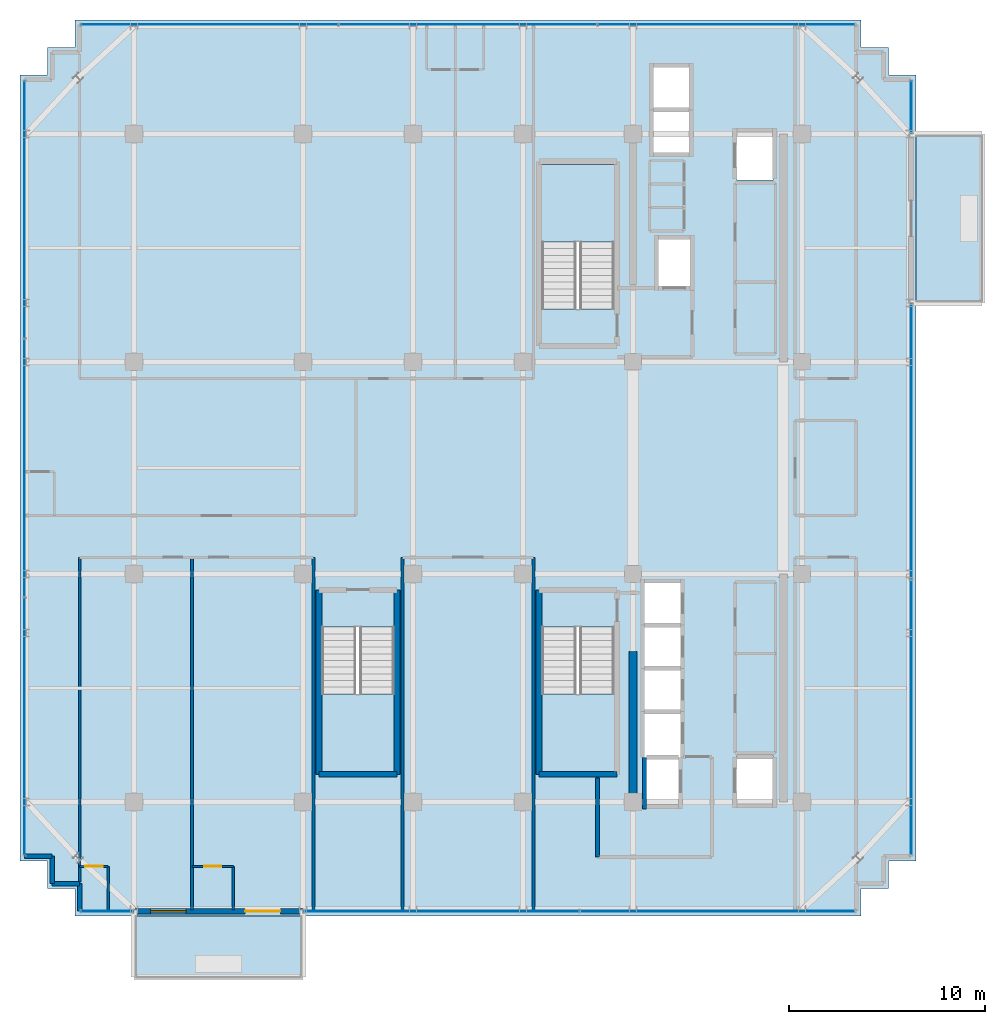
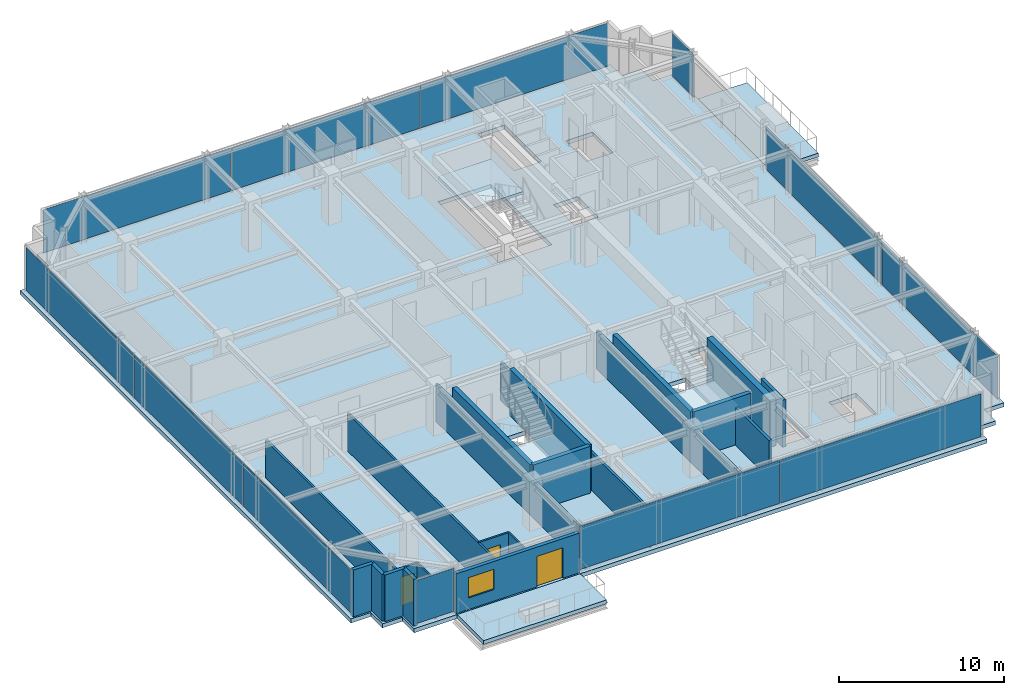
# One storey, part 26 of 33: 22 walls, 12 plates, 6 slabs, 3 doors, 1 window, 4 openings, 9 elements without a shape of their own.
"""IFC4 building model written with IfcOpenShell, lengths in metres."""

from ifc_helpers import new_model, si_unit, direction, frame, frame_2d, origin, origin_2d, place, context, subcontext, project, spatial, polyline, rectangle, outline, extrude, source, transform, mapped, material, layer, layer_set, type_object, element, fill, aggregate, save


model = new_model("IFC4")

# Units and contexts
model_context = context("Model", 3, precision=1e-05, world=origin(), true_north=direction((0.0, 1.0)))
body_context = subcontext(model_context, "Body", "Model", "MODEL_VIEW")
ifc_project = project(units=[si_unit("LENGTHUNIT", "METRE"), si_unit("AREAUNIT", "SQUARE_METRE"), si_unit("VOLUMEUNIT", "CUBIC_METRE"), si_unit("PLANEANGLEUNIT", "RADIAN"), si_unit("MASSUNIT", "GRAM", prefix="KILO")], contexts=[model_context])

# Site, building, storey
site_placement = place(None, origin())
site = spatial("IfcSite", under=ifc_project, at=site_placement, CompositionType="ELEMENT")
building_placement = place(site_placement, origin())
building = spatial("IfcBuilding", under=site, at=building_placement, Name="Nahalor Promenade Grand Hotel", CompositionType="ELEMENT")
storey_placement = place(building_placement, frame((0.0, 0.0, 270.050048828125)))
storey = spatial("IfcBuildingStorey", under=building, at=storey_placement, Name="L69", CompositionType="ELEMENT", Elevation=270.050048828125)

# Stair, slab
ifc_material_1 = material(Name="Concrete B-50 (C40/50)", Category="concrete")
stair_type_1 = type_object("IfcStairType", Name="Stair-ST1", PredefinedType="HALF_TURN_STAIR", material=ifc_material_1)
stair_1_placement = place(storey_placement, origin())
stair_1 = element("IfcStair", 1, at=stair_1_placement, inside=storey, type_object=stair_type_1, Name="L69 ST1", PredefinedType="HALF_TURN_STAIR")
ifc_layer_1 = layer(ifc_material_1, 0.199951171875)
ifc_layer_set_1 = layer_set([ifc_layer_1], Name="Concrete B-50 (C40/50)")
slab_type_1 = type_object("IfcSlabType", Name="Landing-ST1", PredefinedType="LANDING", material=ifc_layer_set_1)
slab_1_placement = place(storey_placement, frame((0.0, 0.0, 1.675048828125)))
slab_1 = element("IfcSlab", 2, at=slab_1_placement, type_object=slab_type_1, Name="ST1 landing 1", PredefinedType="LANDING", context=body_context, shape_type="SweptSolid", body=[
    extrude(outline(polyline([(7.449951171875, 11.5), (7.449951171875, 15.449951171875), (3.75, 15.449951171875), (3.75, 11.5), (7.449951171875, 11.5)])), origin(), (0.0, 0.0, 1.0), 0.199951171875),
])
aggregate(stair_1, [slab_1])

stair_type_2 = type_object("IfcStairType", Name="Stair-ST2", PredefinedType="HALF_TURN_STAIR", material=ifc_material_1)
stair_2_placement = place(storey_placement, origin())
stair_2 = element("IfcStair", 3, at=stair_2_placement, inside=storey, type_object=stair_type_2, Name="L69 ST2", PredefinedType="HALF_TURN_STAIR")
ifc_layer_2 = layer(ifc_material_1, 0.2099609375)
ifc_layer_set_2 = layer_set([ifc_layer_2], Name="Concrete B-50 (C40/50)")
slab_type_2 = type_object("IfcSlabType", Name="Landing-ST2", PredefinedType="LANDING", material=ifc_layer_set_2)
slab_2_placement = place(storey_placement, frame((0.0, 0.0, 1.6650390625)))
slab_2 = element("IfcSlab", 4, at=slab_2_placement, type_object=slab_type_2, Name="ST2 landing 1", PredefinedType="LANDING", context=body_context, shape_type="SweptSolid", body=[
    extrude(outline(polyline([(3.75, -11.5), (3.75, -15.449951171875), (7.449951171875, -15.449951171875), (7.449951171875, -11.5), (3.75, -11.5)])), origin(), (0.0, 0.0, 1.0), 0.2099609375),
])
aggregate(stair_2, [slab_2])

stair_type_3 = type_object("IfcStairType", Name="Stair-ST3", PredefinedType="HALF_TURN_STAIR", material=ifc_material_1)
stair_3_placement = place(storey_placement, origin())
stair_3 = element("IfcStair", 5, at=stair_3_placement, inside=storey, type_object=stair_type_3, Name="L69 ST3", PredefinedType="HALF_TURN_STAIR")
ifc_layer_3 = layer(ifc_material_1, 0.219970703125)
ifc_layer_set_3 = layer_set([ifc_layer_3], Name="Concrete B-50 (C40/50)")
slab_type_3 = type_object("IfcSlabType", Name="Landing-ST3", PredefinedType="LANDING", material=ifc_layer_set_3)
slab_3_placement = place(storey_placement, frame((0.0, 0.0, 1.655029296875)))
slab_3 = element("IfcSlab", 6, at=slab_3_placement, type_object=slab_type_3, Name="ST3 landing 1", PredefinedType="LANDING", context=body_context, shape_type="SweptSolid", body=[
    extrude(outline(polyline([(-7.449951171875, -11.5), (-7.449951171875, -15.449951171875), (-3.75, -15.449951171875), (-3.75, -11.5), (-7.449951171875, -11.5)])), origin(), (0.0, 0.0, 1.0), 0.219970703125),
])
aggregate(stair_3, [slab_3])

# Slabs
ifc_layer_4 = layer(ifc_material_1, 0.280029296875)
ifc_layer_set_4 = layer_set([ifc_layer_4], Name="Concrete B-50 (C40/50)")
slab_type_4 = type_object("IfcSlabType", Name="Slab-Balcony-280", PredefinedType="FLOOR", material=ifc_layer_set_4)
slab_4_placement = place(storey_placement, frame((0.0, 0.0, -0.280029296875)))
element("IfcSlab", 7, at=slab_4_placement, inside=storey, type_object=slab_type_4, Name="L69 Cantilevered Planted Balcony 1", PredefinedType="FLOOR", context=body_context, shape_type="SweptSolid", body=[
    extrude(outline(polyline([(-17.0, -25.989990234375), (-8.39990234375, -25.989990234375), (-8.39990234375, -22.800048828125), (-17.0, -22.800048828125), (-17.0, -25.989990234375)])), origin(), (0.0, 0.0, 1.0), 0.280029296875),
])
slab_5_placement = place(storey_placement, frame((0.0, 0.0, -0.280029296875)))
element("IfcSlab", 8, at=slab_5_placement, inside=storey, type_object=slab_type_4, Name="L69 Cantilevered Planted Balcony 2", PredefinedType="FLOOR", context=body_context, shape_type="SweptSolid", body=[
    extrude(outline(polyline([(22.800048828125, 8.39990234375), (26.239990234375, 8.39990234375), (26.239990234375, 17.0), (22.800048828125, 17.0), (22.800048828125, 8.39990234375)])), origin(), (0.0, 0.0, 1.0), 0.280029296875),
])
ifc_layer_5 = layer(ifc_material_1, 0.300048828125)
ifc_layer_set_5 = layer_set([ifc_layer_5], Name="Concrete B-50 (C40/50)")
slab_type_5 = type_object("IfcSlabType", Name="Slab-TowerZ5-300", PredefinedType="FLOOR", material=ifc_layer_set_5)
slab_6_placement = place(storey_placement, frame((0.0, 0.0, -0.300048828125)))
element("IfcSlab", 9, at=slab_6_placement, inside=storey, type_object=slab_type_5, Name="L69 Suspended Structural Floor Slab", PredefinedType="FLOOR", context=body_context, shape_type="SweptSolid", body=[
    extrude(outline(polyline([(-20.0, -22.800048828125), (20.0, -22.800048828125), (20.0, -21.39990234375), (21.39990234375, -21.39990234375), (21.39990234375, -20.0), (22.800048828125, -20.0), (22.800048828125, 20.0), (21.39990234375, 20.0), (21.39990234375, 21.39990234375), (20.0, 21.39990234375), (20.0, 22.800048828125), (-20.0, 22.800048828125), (-20.0, 21.39990234375), (-21.39990234375, 21.39990234375), (-21.39990234375, 20.0), (-22.800048828125, 20.0), (-22.800048828125, -20.0), (-21.39990234375, -20.0), (-21.39990234375, -21.39990234375), (-20.0, -21.39990234375), (-20.0, -22.800048828125)]), holes=[polyline([(3.75, 8.10009765625), (7.449951171875, 8.10009765625), (7.449951171875, 15.449951171875), (3.75, 15.449951171875), (3.75, 8.10009765625)]), polyline([(3.75, -15.449951171875), (7.449951171875, -15.449951171875), (7.449951171875, -8.10009765625), (3.75, -8.10009765625), (3.75, -15.449951171875)]), polyline([(-7.449951171875, -15.449951171875), (-3.75, -15.449951171875), (-3.75, -8.10009765625), (-7.449951171875, -8.10009765625), (-7.449951171875, -15.449951171875)]), polyline([(8.9599609375, -17.18994140625), (10.840087890625, -17.18994140625), (10.840087890625, -5.81005859375), (8.9599609375, -5.81005859375), (8.9599609375, -17.18994140625)]), polyline([(9.409912109375, 16.010009765625), (11.2900390625, 16.010009765625), (11.2900390625, 20.43994140625), (9.409912109375, 20.43994140625), (9.409912109375, 16.010009765625)]), polyline([(9.659912109375, 9.2099609375), (11.340087890625, 9.2099609375), (11.340087890625, 11.68994140625), (9.659912109375, 11.68994140625), (9.659912109375, 9.2099609375)]), polyline([(13.659912109375, 14.659912109375), (15.5400390625, 14.659912109375), (15.5400390625, 17.139892578125), (13.659912109375, 17.139892578125), (13.659912109375, 14.659912109375)]), polyline([(13.659912109375, -17.139892578125), (15.5400390625, -17.139892578125), (15.5400390625, -14.659912109375), (13.659912109375, -14.659912109375), (13.659912109375, -17.139892578125)])]), origin(), (0.0, 0.0, 1.0), 0.300048828125),
])

# Curtain wall, plate
ifc_material_2 = material(Name="Anodised Bronze Aluminium EN AW-6063 T6", Category="aluminium")
curtain_wall_type = type_object("IfcCurtainWallType", Name="CW2 Typical Hotel Flush Bronze Unitised Curtain Wall", PredefinedType="USERDEFINED", material=ifc_material_2)
curtain_wall_1_placement = place(storey_placement, origin())
curtain_wall_1 = element("IfcCurtainWall", 10, at=curtain_wall_1_placement, inside=storey, type_object=curtain_wall_type, Name="L69 Curtain Wall CW-L69-N-1", ObjectType="UNITISED_CURTAIN_WALL", PredefinedType="USERDEFINED")
ifc_material_3 = material(Name="Low-E Laminated Solar Glass", Category="glass")
ifc_layer_6 = layer(ifc_material_3, 0.028076171875)
ifc_layer_set_6 = layer_set([ifc_layer_6], Name="Low-E Laminated Solar Glass")
plate_type = type_object("IfcPlateType", Name="CWP2 Bronze Low-E Vision IGU 28mm", PredefinedType="CURTAIN_PANEL", material=ifc_layer_set_6)
shared_shape_1 = source(origin(), body_context, "Body", "SweptSolid", [
    extrude(rectangle(XDim=13.1083984375, YDim=0.028076171875, at=origin_2d()), origin(), (0.0, 0.0, 1.0), 3.18994140625),
])
plate_1_placement = place(storey_placement, frame((0.0, 22.56005859375, 0.1298828125), z_axis=(0.0, 0.0, 1.0), x_axis=(1.0, 0.0, 0.0)))
plate_1 = element("IfcPlate", 11, at=plate_1_placement, type_object=plate_type, Name="CW-L69-N-1 Glazing Panel 1-0", PredefinedType="CURTAIN_PANEL", context=body_context, shape_type="MappedRepresentation", body=[
    mapped(shared_shape_1, transform((0.0, 0.0, 0.0), scale=1.0)),
])

curtain_wall_2_placement = place(storey_placement, origin())
curtain_wall_2 = element("IfcCurtainWall", 12, at=curtain_wall_2_placement, inside=storey, type_object=curtain_wall_type, Name="L69 Curtain Wall CW-L69-W-1", ObjectType="UNITISED_CURTAIN_WALL", PredefinedType="USERDEFINED")
plate_2_placement = place(storey_placement, frame((-22.56005859375, 0.0, 0.1298828125), z_axis=(0.0, 0.0, 1.0), x_axis=(0.0, 1.0, 0.0)))
plate_2 = element("IfcPlate", 13, at=plate_2_placement, type_object=plate_type, Name="CW-L69-W-1 Glazing Panel 1-0", PredefinedType="CURTAIN_PANEL", context=body_context, shape_type="MappedRepresentation", body=[
    mapped(shared_shape_1, transform((0.0, 0.0, 0.0), scale=1.0)),
])

curtain_wall_3_placement = place(storey_placement, origin())
curtain_wall_3 = element("IfcCurtainWall", 14, at=curtain_wall_3_placement, inside=storey, type_object=curtain_wall_type, Name="L69 Curtain Wall CW-L69-S-1", ObjectType="UNITISED_CURTAIN_WALL", PredefinedType="USERDEFINED")
shared_shape_2 = source(origin(), body_context, "Body", "SweptSolid", [
    extrude(rectangle(XDim=2.6298828125, YDim=0.028076171875, at=origin_2d()), origin(), (0.0, 0.0, 1.0), 3.18994140625),
])
plate_3_placement = place(storey_placement, frame((-18.3798828125, -22.56005859375, 0.1298828125), z_axis=(0.0, 0.0, 1.0), x_axis=(1.0, 0.0, 0.0)))
plate_3 = element("IfcPlate", 15, at=plate_3_placement, type_object=plate_type, Name="CW-L69-S-1 Glazing Panel 0-0", PredefinedType="CURTAIN_PANEL", context=body_context, shape_type="MappedRepresentation", body=[
    mapped(shared_shape_2, transform((0.0, 0.0, 0.0), scale=1.0)),
])
aggregate(curtain_wall_3, [plate_3])

curtain_wall_4_placement = place(storey_placement, origin())
curtain_wall_4 = element("IfcCurtainWall", 16, at=curtain_wall_4_placement, inside=storey, type_object=curtain_wall_type, Name="L69 Curtain Wall CW-L69-E-3", ObjectType="UNITISED_CURTAIN_WALL", PredefinedType="USERDEFINED")
plate_4_placement = place(storey_placement, frame((22.56005859375, 18.3798828125, 0.1298828125), z_axis=(0.0, 0.0, 1.0), x_axis=(0.0, 1.0, 0.0)))
plate_4 = element("IfcPlate", 17, at=plate_4_placement, type_object=plate_type, Name="CW-L69-E-3 Glazing Panel 0-0", PredefinedType="CURTAIN_PANEL", context=body_context, shape_type="MappedRepresentation", body=[
    mapped(shared_shape_2, transform((0.0, 0.0, 0.0), scale=1.0)),
])
aggregate(curtain_wall_4, [plate_4])

# Curtain wall, plates
curtain_wall_5_placement = place(storey_placement, origin())
curtain_wall_5 = element("IfcCurtainWall", 18, at=curtain_wall_5_placement, inside=storey, type_object=curtain_wall_type, Name="L69 Curtain Wall CW-L69-S-3", ObjectType="UNITISED_CURTAIN_WALL", PredefinedType="USERDEFINED")
shared_shape_3 = source(origin(), body_context, "Body", "SweptSolid", [
    extrude(rectangle(XDim=13.982421875, YDim=0.028076171875, at=origin_2d()), origin(), (0.0, 0.0, 1.0), 3.18994140625),
])
plate_5_placement = place(storey_placement, frame((-1.34375, -22.56005859375, 0.1298828125), z_axis=(0.0, 0.0, 1.0), x_axis=(1.0, 0.0, 0.0)))
plate_5 = element("IfcPlate", 19, at=plate_5_placement, type_object=plate_type, Name="CW-L69-S-3 Glazing Panel 0-0", PredefinedType="CURTAIN_PANEL", context=body_context, shape_type="MappedRepresentation", body=[
    mapped(shared_shape_3, transform((0.0, 0.0, 0.0), scale=1.0)),
])
plate_6_placement = place(storey_placement, frame((12.703857421875, -22.56005859375, 0.1298828125), z_axis=(0.0, 0.0, 1.0), x_axis=(1.0, 0.0, 0.0)))
plate_6 = element("IfcPlate", 20, at=plate_6_placement, type_object=plate_type, Name="CW-L69-S-3 Glazing Panel 1-0", PredefinedType="CURTAIN_PANEL", context=body_context, shape_type="MappedRepresentation", body=[
    mapped(shared_shape_3, transform((0.0, 0.0, 0.0), scale=1.0)),
])
aggregate(curtain_wall_5, [plate_5, plate_6])

curtain_wall_6_placement = place(storey_placement, origin())
curtain_wall_6 = element("IfcCurtainWall", 21, at=curtain_wall_6_placement, inside=storey, type_object=curtain_wall_type, Name="L69 Curtain Wall CW-L69-E-1", ObjectType="UNITISED_CURTAIN_WALL", PredefinedType="USERDEFINED")
plate_7_placement = place(storey_placement, frame((22.56005859375, -12.703857421875, 0.1298828125), z_axis=(0.0, 0.0, 1.0), x_axis=(0.0, 1.0, 0.0)))
plate_7 = element("IfcPlate", 22, at=plate_7_placement, type_object=plate_type, Name="CW-L69-E-1 Glazing Panel 0-0", PredefinedType="CURTAIN_PANEL", context=body_context, shape_type="MappedRepresentation", body=[
    mapped(shared_shape_3, transform((0.0, 0.0, 0.0), scale=1.0)),
])
plate_8_placement = place(storey_placement, frame((22.56005859375, 1.34375, 0.1298828125), z_axis=(0.0, 0.0, 1.0), x_axis=(0.0, 1.0, 0.0)))
plate_8 = element("IfcPlate", 23, at=plate_8_placement, type_object=plate_type, Name="CW-L69-E-1 Glazing Panel 1-0", PredefinedType="CURTAIN_PANEL", context=body_context, shape_type="MappedRepresentation", body=[
    mapped(shared_shape_3, transform((0.0, 0.0, 0.0), scale=1.0)),
])
aggregate(curtain_wall_6, [plate_7, plate_8])

# Plate
shared_shape_4 = source(origin(), body_context, "Body", "SweptSolid", [
    extrude(rectangle(XDim=13.075927734375, YDim=0.028076171875, at=origin_2d()), origin(), (0.0, 0.0, 1.0), 3.18994140625),
])
plate_9_placement = place(storey_placement, frame((-13.156982421875, 22.56005859375, 0.1298828125), z_axis=(0.0, 0.0, 1.0), x_axis=(1.0, 0.0, 0.0)))
plate_9 = element("IfcPlate", 24, at=plate_9_placement, type_object=plate_type, Name="CW-L69-N-1 Glazing Panel 0-0", PredefinedType="CURTAIN_PANEL", context=body_context, shape_type="MappedRepresentation", body=[
    mapped(shared_shape_4, transform((0.0, 0.0, 0.0), scale=1.0)),
])

plate_10_placement = place(storey_placement, frame((13.156982421875, 22.56005859375, 0.1298828125), z_axis=(0.0, 0.0, 1.0), x_axis=(1.0, 0.0, 0.0)))
plate_10 = element("IfcPlate", 25, at=plate_10_placement, type_object=plate_type, Name="CW-L69-N-1 Glazing Panel 2-0", PredefinedType="CURTAIN_PANEL", context=body_context, shape_type="MappedRepresentation", body=[
    mapped(shared_shape_4, transform((0.0, 0.0, 0.0), scale=1.0)),
])

aggregate(curtain_wall_1, [plate_9, plate_1, plate_10])

plate_11_placement = place(storey_placement, frame((-22.56005859375, -13.156982421875, 0.1298828125), z_axis=(0.0, 0.0, 1.0), x_axis=(0.0, 1.0, 0.0)))
plate_11 = element("IfcPlate", 26, at=plate_11_placement, type_object=plate_type, Name="CW-L69-W-1 Glazing Panel 0-0", PredefinedType="CURTAIN_PANEL", context=body_context, shape_type="MappedRepresentation", body=[
    mapped(shared_shape_4, transform((0.0, 0.0, 0.0), scale=1.0)),
])

plate_12_placement = place(storey_placement, frame((-22.56005859375, 13.156982421875, 0.1298828125), z_axis=(0.0, 0.0, 1.0), x_axis=(0.0, 1.0, 0.0)))
plate_12 = element("IfcPlate", 27, at=plate_12_placement, type_object=plate_type, Name="CW-L69-W-1 Glazing Panel 2-0", PredefinedType="CURTAIN_PANEL", context=body_context, shape_type="MappedRepresentation", body=[
    mapped(shared_shape_4, transform((0.0, 0.0, 0.0), scale=1.0)),
])

aggregate(curtain_wall_2, [plate_11, plate_2, plate_12])

# Walls
ifc_layer_7 = layer(ifc_material_1, 0.39990234375)
ifc_layer_set_7 = layer_set([ifc_layer_7], Name="Concrete B-50 (C40/50)")
wall_type_1 = type_object("IfcWallType", Name="Wall-CoreShear-400", PredefinedType="SHEAR", material=ifc_layer_set_7)
shared_shape_5 = source(origin(), body_context, "Body", "SweptSolid", [
    extrude(rectangle(XDim=7.64990234375, YDim=0.39990234375, at=frame_2d((3.824951171875, 0.0))), origin(), (0.0, 0.0, 1.0), 3.449951171875),
])
wall_1_placement = place(storey_placement, frame((8.39990234375, -17.0, 0.0), z_axis=(0.0, 0.0, 1.0), x_axis=(0.0, 1.0, 0.0)))
element("IfcWall", 28, at=wall_1_placement, inside=storey, type_object=wall_type_1, Name="CWALL-L69-SW", PredefinedType="SHEAR", context=body_context, shape_type="MappedRepresentation", body=[
    mapped(shared_shape_5, transform((0.0, 0.0, 0.0), scale=1.0)),
])
ifc_layer_8 = layer(ifc_material_1, 0.300048828125)
ifc_layer_set_8 = layer_set([ifc_layer_8], Name="Concrete B-50 (C40/50)")
wall_type_2 = type_object("IfcWallType", Name="Wall-ShaftShear-300", PredefinedType="SHEAR", material=ifc_layer_set_8)
shared_shape_6 = source(origin(), body_context, "Body", "SweptSolid", [
    extrude(rectangle(XDim=3.97998046875, YDim=0.300048828125, at=frame_2d((1.989990234375, 0.0))), origin(), (0.0, 0.0, 1.0), 3.449951171875),
])
for number, where, z_axis, x_axis, name in (
    (29, (3.610107421875, -15.590087890625, 0.0), (0.0, 0.0, 1.0), (1.0, 0.0, 0.0), "L69 Exit Stair ST2 Shaft Wall S"),
    (30, (-7.590087890625, -15.590087890625, 0.0), (0.0, 0.0, 1.0), (1.0, 0.0, 0.0), "L69 Exit Stair ST3 Shaft Wall S"),
):
    element("IfcWall", number, at=place(storey_placement, frame(where, z_axis=z_axis, x_axis=x_axis)), inside=storey, type_object=wall_type_2, Name=name, PredefinedType="SHEAR", context=body_context, shape_type="MappedRepresentation", body=[
        mapped(shared_shape_6, transform((0.0, 0.0, 0.0), scale=1.0)),
    ])
shared_shape_7 = source(origin(), body_context, "Body", "SweptSolid", [
    extrude(rectangle(XDim=9.380126953125, YDim=0.300048828125, at=frame_2d((4.68994140625, 0.0))), origin(), (0.0, 0.0, 1.0), 3.449951171875),
])
for number, where, z_axis, x_axis, name in (
    (31, (3.610107421875, -15.590087890625, 0.0), (0.0, 0.0, 1.0), (0.0, 1.0, 0.0), "L69 Exit Stair ST2 Shaft Wall W"),
    (32, (-7.590087890625, -15.590087890625, 0.0), (0.0, 0.0, 1.0), (0.0, 1.0, 0.0), "L69 Exit Stair ST3 Shaft Wall W"),
    (33, (-3.610107421875, -15.590087890625, 0.0), (0.0, 0.0, 1.0), (0.0, 1.0, 0.0), "L69 Exit Stair ST3 Shaft Wall E"),
):
    element("IfcWall", number, at=place(storey_placement, frame(where, z_axis=z_axis, x_axis=x_axis)), inside=storey, type_object=wall_type_2, Name=name, PredefinedType="SHEAR", context=body_context, shape_type="MappedRepresentation", body=[
        mapped(shared_shape_7, transform((0.0, 0.0, 0.0), scale=1.0)),
    ])
ifc_layer_9 = layer(ifc_material_1, 0.219970703125)
ifc_layer_set_9 = layer_set([ifc_layer_9], Name="Concrete B-50 (C40/50)")
wall_type_3 = type_object("IfcWallType", Name="Wall-LiftShaft-220", PredefinedType="SHEAR", material=ifc_layer_set_9)
shared_shape_8 = source(origin(), body_context, "Body", "SweptSolid", [
    extrude(rectangle(XDim=2.635009765625, YDim=0.219970703125, at=frame_2d((1.3173828125, 0.0))), origin(), (0.0, 0.0, 1.0), 3.449951171875),
])
wall_2_placement = place(storey_placement, frame((8.97998046875, -17.360107421875, 0.0), z_axis=(0.0, 0.0, 1.0), x_axis=(0.0, 1.0, 0.0)))
element("IfcWall", 34, at=wall_2_placement, inside=storey, type_object=wall_type_3, Name="L69 Lift FL2 Hoistway Wall W", PredefinedType="SHEAR", context=body_context, shape_type="MappedRepresentation", body=[
    mapped(shared_shape_8, transform((0.0, 0.0, 0.0), scale=1.0)),
])
ifc_material_4 = material(Name="Concrete B-40 (C32/40)", Category="concrete")
ifc_layer_10 = layer(ifc_material_4, 0.25)
ifc_layer_set_10 = layer_set([ifc_layer_10], Name="Concrete B-40 (C32/40)")
wall_type_4 = type_object("IfcWallType", Name="Wall-BronzePier-250", PredefinedType="STANDARD", material=ifc_layer_set_10)
shared_shape_9 = source(origin(), body_context, "Body", "SweptSolid", [
    extrude(rectangle(XDim=1.400146484375, YDim=0.25, at=frame_2d((0.7001953125, 0.0))), origin(), (0.0, 0.0, 1.0), 3.449951171875),
])
for number, where, z_axis, x_axis, name in (
    (35, (-22.56005859375, -19.760009765625, 0.0), (0.0, 0.0, 1.0), (1.0, 0.0, 0.0), "W-L69-SR-13"),
    (36, (-19.760009765625, -22.56005859375, 0.0), (0.0, 0.0, 1.0), (0.0, 1.0, 0.0), "W-L69-SR-16"),
):
    element("IfcWall", number, at=place(storey_placement, frame(where, z_axis=z_axis, x_axis=x_axis)), inside=storey, type_object=wall_type_4, Name=name, PredefinedType="STANDARD", context=body_context, shape_type="MappedRepresentation", body=[
        mapped(shared_shape_9, transform((0.0, 0.0, 0.0), scale=1.0)),
    ])
shared_shape_10 = source(origin(), body_context, "Body", "SweptSolid", [
    extrude(rectangle(XDim=1.39990234375, YDim=0.25, at=frame_2d((0.699951171875, 0.0))), origin(), (0.0, 0.0, 1.0), 3.449951171875),
])
for number, where, z_axis, x_axis, name in (
    (37, (-21.159912109375, -21.159912109375, 0.0), (0.0, 0.0, 1.0), (0.0, 1.0, 0.0), "W-L69-SR-14"),
    (38, (-21.159912109375, -21.159912109375, 0.0), (0.0, 0.0, 1.0), (1.0, 0.0, 0.0), "W-L69-SR-15"),
):
    element("IfcWall", number, at=place(storey_placement, frame(where, z_axis=z_axis, x_axis=x_axis)), inside=storey, type_object=wall_type_4, Name=name, PredefinedType="STANDARD", context=body_context, shape_type="MappedRepresentation", body=[
        mapped(shared_shape_10, transform((0.0, 0.0, 0.0), scale=1.0)),
    ])

# Wall, openings, door, window
ifc_layer_11 = layer(ifc_material_4, 0.260009765625)
ifc_layer_set_11 = layer_set([ifc_layer_11], Name="Concrete B-40 (C32/40)")
wall_type_5 = type_object("IfcWallType", Name="Wall-BalconyWall-260", PredefinedType="STANDARD", material=ifc_layer_set_11)
shared_shape_11 = source(origin(), body_context, "Body", "SweptSolid", [
    extrude(rectangle(XDim=8.60009765625, YDim=0.260009765625, at=frame_2d((4.300048828125, 0.0))), origin(), (0.0, 0.0, 1.0), 2.929931640625),
])
wall_3_placement = place(storey_placement, frame((-17.0, -22.56005859375, 0.0), z_axis=(0.0, 0.0, 1.0), x_axis=(1.0, 0.0, 0.0)))
wall_3 = element("IfcWall", 39, at=wall_3_placement, inside=storey, type_object=wall_type_5, Name="W-L69-BALC-S-2", PredefinedType="STANDARD", context=body_context, shape_type="MappedRepresentation", body=[
    mapped(shared_shape_11, transform((0.0, 0.0, 0.0), scale=1.0)),
])
opening_1_placement = place(wall_3_placement, frame((5.656005859375, 0.0, 0.0)))
opening_1 = element("IfcOpeningElement", 40, at=opening_1_placement, cuts=wall_3, Name="Opening D-BC1", PredefinedType="OPENING", context=body_context, shape_type="SweptSolid", body=[
    extrude(rectangle(XDim=1.800048828125, YDim=2.25, at=frame_2d((0.89990234375, 1.125))), frame((0.0, 0.139892578125, 0.0), z_axis=(0.0, -1.0, 0.0), x_axis=(1.0, 0.0, 0.0)), (0.0, 0.0, 1.0), 0.280029296875),
])
opening_2_placement = place(wall_3_placement, frame((0.85107421875, 0.0, 0.85009765625)))
opening_2 = element("IfcOpeningElement", 41, at=opening_2_placement, cuts=wall_3, Name="Opening WN-01", PredefinedType="OPENING", context=body_context, shape_type="SweptSolid", body=[
    extrude(rectangle(XDim=1.800048828125, YDim=1.5, at=frame_2d((0.89990234375, 0.75))), frame((0.0, 0.139892578125, 0.0), z_axis=(0.0, -1.0, 0.0), x_axis=(1.0, 0.0, 0.0)), (0.0, 0.0, 1.0), 0.280029296875),
])
door_type_1 = type_object("IfcDoorType", Name="Door-BalconySlide-1800", OperationType="DOUBLE_DOOR_SLIDING", PredefinedType="DOOR", material=ifc_material_2)
shared_shape_12 = source(origin(), body_context, "Body", "SweptSolid", [
    extrude(rectangle(XDim=1.800048828125, YDim=2.25, at=frame_2d((0.89990234375, 1.125))), frame((0.0, 0.02490234375, 0.0), z_axis=(0.0, -1.0, 0.0), x_axis=(1.0, 0.0, 0.0)), (0.0, 0.0, 1.0), 0.050048828125),
])
door_1_placement = place(opening_1_placement, frame((1.800048828125, 0.0, 0.0), z_axis=(0.0, 0.0, 1.0), x_axis=(-1.0, 0.0, 0.0)))
door_1 = element("IfcDoor", 42, at=door_1_placement, inside=storey, type_object=door_type_1, Name="DR-L69-BALC-S-2", OperationType="DOUBLE_DOOR_SLIDING", OverallHeight=2.25, OverallWidth=1.800048828125, PredefinedType="DOOR", context=body_context, shape_type="MappedRepresentation", body=[
    mapped(shared_shape_12, transform((0.0, 0.0, 0.0), scale=1.0)),
])
fill(opening_1, door_1)
window_type = type_object("IfcWindowType", Name="Win-ChicagoBay-1800x1500", PartitioningType="SINGLE_PANEL", PredefinedType="WINDOW", material=ifc_material_3)
shared_shape_13 = source(origin(), body_context, "Body", "SweptSolid", [
    extrude(rectangle(XDim=1.800048828125, YDim=1.5, at=frame_2d((0.89990234375, 0.75))), frame((0.0, 0.030029296875, 0.0), z_axis=(0.0, -1.0, 0.0), x_axis=(1.0, 0.0, 0.0)), (0.0, 0.0, 1.0), 0.06005859375),
])
window_placement = place(opening_2_placement, origin())
window = element("IfcWindow", 43, at=window_placement, inside=storey, type_object=window_type, Name="WN-L69-BALC-S-2-1", OverallHeight=1.5, OverallWidth=1.800048828125, PartitioningType="SINGLE_PANEL", PredefinedType="WINDOW", context=body_context, shape_type="MappedRepresentation", body=[
    mapped(shared_shape_13, transform((0.0, 0.0, 0.0), scale=1.0)),
])
fill(opening_2, window)

# Walls
ifc_layer_12 = layer(ifc_material_4, 0.199951171875)
ifc_layer_set_12 = layer_set([ifc_layer_12], Name="Concrete B-40 (C32/40)")
wall_type_6 = type_object("IfcWallType", Name="Wall-PartFire-200", PredefinedType="PARTITIONING", material=ifc_layer_set_12)
shared_shape_14 = source(origin(), body_context, "Body", "SweptSolid", [
    extrude(rectangle(XDim=4.030029296875, YDim=0.199951171875, at=frame_2d((2.01513671875, 0.0))), origin(), (0.0, 0.0, 1.0), 2.7900390625),
])
wall_4_placement = place(storey_placement, frame((6.60009765625, -19.800048828125, 0.0), z_axis=(0.0, 0.0, 1.0), x_axis=(0.0, 1.0, 0.0)))
element("IfcWall", 44, at=wall_4_placement, inside=storey, type_object=wall_type_6, Name="W-L69-FF2-W1", PredefinedType="PARTITIONING", context=body_context, shape_type="MappedRepresentation", body=[
    mapped(shared_shape_14, transform((0.0, 0.0, 0.0), scale=1.0)),
])
ifc_material_5 = material(Name="Acoustic Mineral Gypsum", Category="gypsum")
ifc_layer_13 = layer(ifc_material_5, 0.159912109375)
ifc_layer_set_13 = layer_set([ifc_layer_13], Name="Acoustic Mineral Gypsum")
wall_type_7 = type_object("IfcWallType", Name="Wall-PartCorridor-160", PredefinedType="PARTITIONING", material=ifc_layer_set_13)
shared_shape_15 = source(origin(), body_context, "Body", "SweptSolid", [
    extrude(rectangle(XDim=17.949951171875, YDim=0.159912109375, at=frame_2d((8.97509765625, 0.0))), origin(), (0.0, 0.0, 1.0), 2.7900390625),
])
for number, where, z_axis, x_axis, name in (
    (45, (-3.340087890625, -22.5, 0.0), (0.0, 0.0, 1.0), (0.0, 1.0, 0.0), "W-L69-SCB-W"),
    (46, (3.340087890625, -22.5, 0.0), (0.0, 0.0, 1.0), (0.0, 1.0, 0.0), "W-L69-SCB-E"),
):
    element("IfcWall", number, at=place(storey_placement, frame(where, z_axis=z_axis, x_axis=x_axis)), inside=storey, type_object=wall_type_7, Name=name, PredefinedType="PARTITIONING", context=body_context, shape_type="MappedRepresentation", body=[
        mapped(shared_shape_15, transform((0.0, 0.0, 0.0), scale=1.0)),
    ])
ifc_layer_14 = layer(ifc_material_5, 0.139892578125)
ifc_layer_set_14 = layer_set([ifc_layer_14], Name="Acoustic Mineral Gypsum")
wall_type_8 = type_object("IfcWallType", Name="Wall-PartSuite-140", PredefinedType="PARTITIONING", material=ifc_layer_set_14)
shared_shape_16 = source(origin(), body_context, "Body", "SweptSolid", [
    extrude(rectangle(XDim=16.530029296875, YDim=0.139892578125, at=frame_2d((8.26513671875, 0.0))), origin(), (0.0, 0.0, 1.0), 2.7900390625),
])
wall_5_placement = place(storey_placement, frame((-19.760009765625, -21.080078125, 0.0), z_axis=(0.0, 0.0, 1.0), x_axis=(0.0, 1.0, 0.0)))
element("IfcWall", 47, at=wall_5_placement, inside=storey, type_object=wall_type_8, Name="W-L69-SW-ENDW", PredefinedType="PARTITIONING", context=body_context, shape_type="MappedRepresentation", body=[
    mapped(shared_shape_16, transform((0.0, 0.0, 0.0), scale=1.0)),
])
shared_shape_17 = source(origin(), body_context, "Body", "SweptSolid", [
    extrude(rectangle(XDim=17.949951171875, YDim=0.139892578125, at=frame_2d((8.97509765625, 0.0))), origin(), (0.0, 0.0, 1.0), 2.7900390625),
])
for number, where, z_axis, x_axis, name in (
    (48, (-7.860107421875, -22.5, 0.0), (0.0, 0.0, 1.0), (0.0, 1.0, 0.0), "W-L69-SW-ENDE"),
    (49, (-14.048095703125, -22.5, 0.0), (0.0, 0.0, 1.0), (0.0, 1.0, 0.0), "W-L69-SP-1"),
):
    element("IfcWall", number, at=place(storey_placement, frame(where, z_axis=z_axis, x_axis=x_axis)), inside=storey, type_object=wall_type_8, Name=name, PredefinedType="PARTITIONING", context=body_context, shape_type="MappedRepresentation", body=[
        mapped(shared_shape_17, transform((0.0, 0.0, 0.0), scale=1.0)),
    ])

# Wall, opening, door
ifc_layer_15 = layer(ifc_material_5, 0.1201171875)
ifc_layer_set_15 = layer_set([ifc_layer_15], Name="Acoustic Mineral Gypsum")
wall_type_9 = type_object("IfcWallType", Name="Wall-PartBath-120", PredefinedType="PARTITIONING", material=ifc_layer_set_15)
shared_shape_18 = source(origin(), body_context, "Body", "SweptSolid", [
    extrude(rectangle(XDim=1.449951171875, YDim=0.1201171875, at=frame_2d((0.72509765625, 0.0))), origin(), (0.0, 0.0, 1.0), 2.7900390625),
])
wall_6_placement = place(storey_placement, frame((-19.760009765625, -20.280029296875, 0.0), z_axis=(0.0, 0.0, 1.0), x_axis=(1.0, 0.0, 0.0)))
wall_6 = element("IfcWall", 50, at=wall_6_placement, inside=storey, type_object=wall_type_9, Name="W-L69-S1-BH", PredefinedType="PARTITIONING", context=body_context, shape_type="MappedRepresentation", body=[
    mapped(shared_shape_18, transform((0.0, 0.0, 0.0), scale=1.0)),
])
opening_3_placement = place(wall_6_placement, frame((0.284912109375, 0.0, 0.0)))
opening_3 = element("IfcOpeningElement", 51, at=opening_3_placement, cuts=wall_6, Name="Opening D-03", PredefinedType="OPENING", context=body_context, shape_type="SweptSolid", body=[
    extrude(rectangle(XDim=0.8798828125, YDim=2.10009765625, at=frame_2d((0.43994140625, 1.050048828125))), frame((0.0, 0.070068359375, 0.0), z_axis=(0.0, -1.0, 0.0), x_axis=(1.0, 0.0, 0.0)), (0.0, 0.0, 1.0), 0.14013671875),
])
ifc_material_6 = material(Name="Fire-Rated Timber Composite", Category="wood")
door_type_2 = type_object("IfcDoorType", Name="Door-BathSwing-880", OperationType="NOTDEFINED", PredefinedType="DOOR", material=ifc_material_6)
shared_shape_19 = source(origin(), body_context, "Body", "SweptSolid", [
    extrude(rectangle(XDim=0.8798828125, YDim=2.10009765625, at=frame_2d((0.43994140625, 1.050048828125))), frame((0.0, 0.02490234375, 0.0), z_axis=(0.0, -1.0, 0.0), x_axis=(1.0, 0.0, 0.0)), (0.0, 0.0, 1.0), 0.050048828125),
])
door_2_placement = place(opening_3_placement, frame((0.8798828125, 0.0, 0.0), z_axis=(0.0, 0.0, 1.0), x_axis=(-1.0, 0.0, 0.0)))
door_2 = element("IfcDoor", 52, at=door_2_placement, inside=storey, type_object=door_type_2, Name="DR-L69-S1-BATH", OperationType="SINGLE_SWING_LEFT", OverallHeight=2.10009765625, OverallWidth=0.8798828125, PredefinedType="DOOR", context=body_context, shape_type="MappedRepresentation", body=[
    mapped(shared_shape_19, transform((0.0, 0.0, 0.0), scale=1.0)),
])
fill(opening_3, door_2)

# Walls
shared_shape_20 = source(origin(), body_context, "Body", "SweptSolid", [
    extrude(rectangle(XDim=2.219970703125, YDim=0.1201171875, at=frame_2d((1.10986328125, 0.0))), origin(), (0.0, 0.0, 1.0), 2.7900390625),
])
for number, where, z_axis, x_axis, name in (
    (53, (-18.31005859375, -22.5, 0.0), (0.0, 0.0, 1.0), (0.0, 1.0, 0.0), "W-L69-S1-BV"),
    (54, (-11.93798828125, -22.5, 0.0), (0.0, 0.0, 1.0), (0.0, 1.0, 0.0), "W-L69-S2-BV"),
):
    element("IfcWall", number, at=place(storey_placement, frame(where, z_axis=z_axis, x_axis=x_axis)), inside=storey, type_object=wall_type_9, Name=name, PredefinedType="PARTITIONING", context=body_context, shape_type="MappedRepresentation", body=[
        mapped(shared_shape_20, transform((0.0, 0.0, 0.0), scale=1.0)),
    ])

# Wall, opening, door
shared_shape_21 = source(origin(), body_context, "Body", "SweptSolid", [
    extrude(rectangle(XDim=2.110107421875, YDim=0.1201171875, at=frame_2d((1.05517578125, 0.0))), origin(), (0.0, 0.0, 1.0), 2.7900390625),
])
wall_7_placement = place(storey_placement, frame((-14.048095703125, -20.280029296875, 0.0), z_axis=(0.0, 0.0, 1.0), x_axis=(1.0, 0.0, 0.0)))
wall_7 = element("IfcWall", 55, at=wall_7_placement, inside=storey, type_object=wall_type_9, Name="W-L69-S2-BH", PredefinedType="PARTITIONING", context=body_context, shape_type="MappedRepresentation", body=[
    mapped(shared_shape_21, transform((0.0, 0.0, 0.0), scale=1.0)),
])
opening_4_placement = place(wall_7_placement, frame((0.614990234375, 0.0, 0.0)))
opening_4 = element("IfcOpeningElement", 56, at=opening_4_placement, cuts=wall_7, Name="Opening D-03", PredefinedType="OPENING", context=body_context, shape_type="SweptSolid", body=[
    extrude(rectangle(XDim=0.8798828125, YDim=2.10009765625, at=frame_2d((0.43994140625, 1.050048828125))), frame((0.0, 0.070068359375, 0.0), z_axis=(0.0, -1.0, 0.0), x_axis=(1.0, 0.0, 0.0)), (0.0, 0.0, 1.0), 0.14013671875),
])
door_3_placement = place(opening_4_placement, frame((0.8798828125, 0.0, 0.0), z_axis=(0.0, 0.0, 1.0), x_axis=(-1.0, 0.0, 0.0)))
door_3 = element("IfcDoor", 57, at=door_3_placement, inside=storey, type_object=door_type_2, Name="DR-L69-S2-BATH", OperationType="SINGLE_SWING_LEFT", OverallHeight=2.10009765625, OverallWidth=0.8798828125, PredefinedType="DOOR", context=body_context, shape_type="MappedRepresentation", body=[
    mapped(shared_shape_19, transform((0.0, 0.0, 0.0), scale=1.0)),
])
fill(opening_4, door_3)

save(model, "model.ifc")
